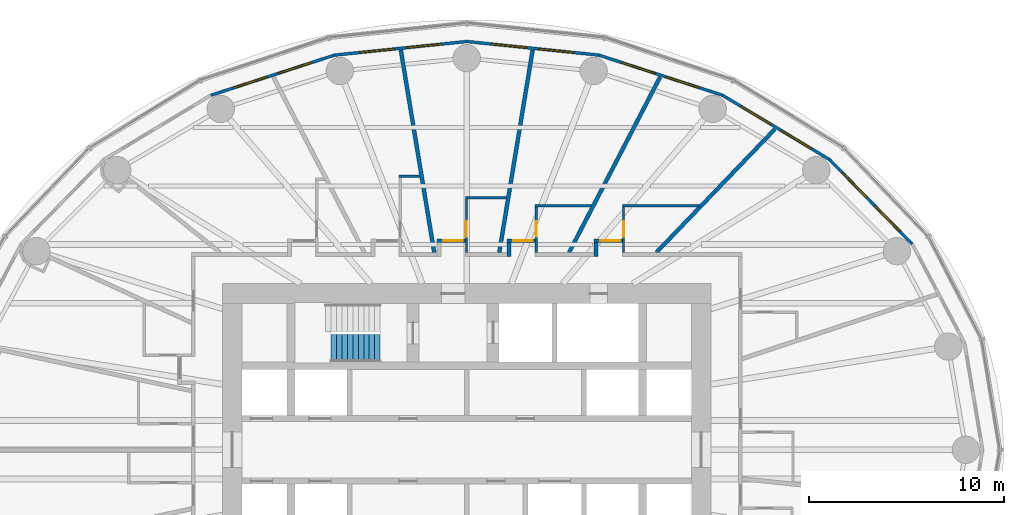
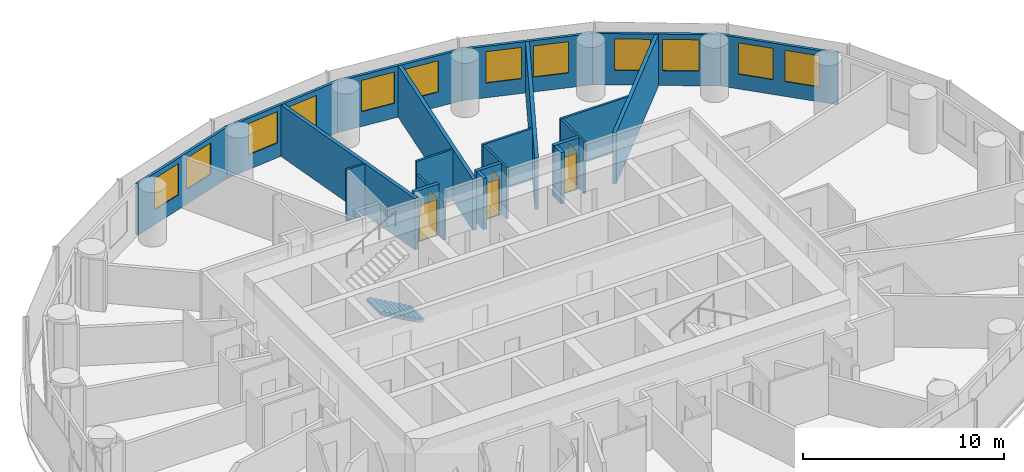
# One storey, part 12 of 14: 22 walls, 12 windows, 6 doors, 1 stair flight, 18 openings, 1 element without a shape of its own.
"""IFC4 building model written with IfcOpenShell, lengths in metres."""

from ifc_helpers import new_model, si_unit, direction, frame, frame_2d, origin, place, context, subcontext, project, spatial, polyline, rectangle, outline, extrude, material, layer, layer_set, type_object, element, fill, aggregate, save


model = new_model("IFC4")

# Units and contexts
model_context = context("Model", 3, precision=1e-05, world=origin(), true_north=direction((0.0, 1.0)))
body_context = subcontext(model_context, "Body", "Model", "MODEL_VIEW")
ifc_project = project(units=[si_unit("LENGTHUNIT", "METRE"), si_unit("AREAUNIT", "SQUARE_METRE"), si_unit("VOLUMEUNIT", "CUBIC_METRE"), si_unit("PLANEANGLEUNIT", "RADIAN"), si_unit("MASSUNIT", "GRAM", prefix="KILO")], contexts=[model_context])

# Site, building, storey
site_placement = place(None, origin())
site = spatial("IfcSite", under=ifc_project, at=site_placement, CompositionType="ELEMENT")
building_placement = place(site_placement, origin())
building = spatial("IfcBuilding", under=site, at=building_placement, Name="Hankou Lantern Tower", CompositionType="ELEMENT")
storey_placement = place(building_placement, frame((0.0, 0.0, 57.300048828125)))
storey = spatial("IfcBuildingStorey", under=building, at=storey_placement, Name="L13", CompositionType="ELEMENT", Elevation=57.300048828125)

# Wall, openings, windows
ifc_material_1 = material(Name="Aluminium spandrel panel on steel studs", Category="steel")
ifc_layer_1 = layer(ifc_material_1, 0.14990234375)
ifc_layer_set_1 = layer_set([ifc_layer_1], Name="Aluminium spandrel panel on steel studs")
wall_type_1 = type_object("IfcWallType", Name="EW1 INNER SKIN WALL 150", PredefinedType="ELEMENTEDWALL", material=ifc_layer_set_1)
wall_1_placement = place(storey_placement, frame((22.802734375, 10.5322265625, 0.0), z_axis=(0.0, 0.0, 1.0), x_axis=(-0.699602905915, 0.714531856557, 0.0)))
wall_1 = element("IfcWall", 1, at=wall_1_placement, inside=storey, type_object=wall_type_1, Name="Inner skin R03-R04 L13", PredefinedType="ELEMENTEDWALL", context=body_context, shape_type="SweptSolid", body=[
    extrude(rectangle(XDim=6.05078125, YDim=0.14990234375, at=frame_2d((3.025390625, 0.0))), origin(), (0.0, 0.0, 1.0), 3.119873046875),
])
opening_1_placement = place(wall_1_placement, frame((0.925537109375, 0.0, 0.89990234375)))
opening_1 = element("IfcOpeningElement", 2, at=opening_1_placement, cuts=wall_1, Name="Opening W1", PredefinedType="OPENING", context=body_context, shape_type="SweptSolid", body=[
    extrude(rectangle(XDim=1.800048828125, YDim=1.89990234375, at=frame_2d((0.89990234375, 0.949951171875))), frame((0.0, 0.0849609375, 0.0), z_axis=(0.0, -1.0, 0.0), x_axis=(1.0, 0.0, 0.0)), (0.0, 0.0, 1.0), 0.169921875),
])
opening_2_placement = place(wall_1_placement, frame((3.325439453125, 0.0, 0.89990234375)))
opening_2 = element("IfcOpeningElement", 3, at=opening_2_placement, cuts=wall_1, Name="Opening W1", PredefinedType="OPENING", context=body_context, shape_type="SweptSolid", body=[
    extrude(rectangle(XDim=1.800048828125, YDim=1.89990234375, at=frame_2d((0.89990234375, 0.949951171875))), frame((0.0, 0.0849609375, 0.0), z_axis=(0.0, -1.0, 0.0), x_axis=(1.0, 0.0, 0.0)), (0.0, 0.0, 1.0), 0.169921875),
])
ifc_material_2 = material(Name="Aluminium framed double glazed window", Category="aluminium")
window_type = type_object("IfcWindowType", Name="W1 GUEST ROOM WINDOW 1800X1900", PartitioningType="DOUBLE_PANEL_VERTICAL", PredefinedType="WINDOW", material=ifc_material_2)
window_1_placement = place(opening_1_placement, origin())
window_1 = element("IfcWindow", 4, at=window_1_placement, inside=storey, type_object=window_type, Name="Window R03.1 L13", OverallHeight=1.89990234375, OverallWidth=1.800048828125, PartitioningType="SINGLE_PANEL", PredefinedType="WINDOW", context=body_context, shape_type="SweptSolid", body=[
    extrude(rectangle(XDim=1.800048828125, YDim=1.89990234375, at=frame_2d((0.89990234375, 0.949951171875))), frame((0.0, 0.030029296875, 0.0), z_axis=(0.0, -1.0, 0.0), x_axis=(1.0, 0.0, 0.0)), (0.0, 0.0, 1.0), 0.06005859375),
])
fill(opening_1, window_1)
window_2_placement = place(opening_2_placement, origin())
window_2 = element("IfcWindow", 5, at=window_2_placement, inside=storey, type_object=window_type, Name="Window R03.2 L13", OverallHeight=1.89990234375, OverallWidth=1.800048828125, PartitioningType="SINGLE_PANEL", PredefinedType="WINDOW", context=body_context, shape_type="SweptSolid", body=[
    extrude(rectangle(XDim=1.800048828125, YDim=1.89990234375, at=frame_2d((0.89990234375, 0.949951171875))), frame((0.0, 0.030029296875, 0.0), z_axis=(0.0, -1.0, 0.0), x_axis=(1.0, 0.0, 0.0)), (0.0, 0.0, 1.0), 0.06005859375),
])
fill(opening_2, window_2)

wall_2_placement = place(storey_placement, frame((18.569580078125, 14.855712890625, 0.0), z_axis=(0.0, 0.0, 1.0), x_axis=(-0.856983180864, 0.515344377787, 0.0)))
wall_2 = element("IfcWall", 6, at=wall_2_placement, inside=storey, type_object=wall_type_1, Name="Inner skin R04-R05 L13", PredefinedType="ELEMENTEDWALL", context=body_context, shape_type="SweptSolid", body=[
    extrude(rectangle(XDim=6.386474609375, YDim=0.14990234375, at=frame_2d((3.193359375, 0.0))), origin(), (0.0, 0.0, 1.0), 3.119873046875),
])
opening_3_placement = place(wall_2_placement, frame((1.09326171875, 0.0, 0.89990234375)))
opening_3 = element("IfcOpeningElement", 7, at=opening_3_placement, cuts=wall_2, Name="Opening W1", PredefinedType="OPENING", context=body_context, shape_type="SweptSolid", body=[
    extrude(rectangle(XDim=1.800048828125, YDim=1.89990234375, at=frame_2d((0.89990234375, 0.949951171875))), frame((0.0, 0.0849609375, 0.0), z_axis=(0.0, -1.0, 0.0), x_axis=(1.0, 0.0, 0.0)), (0.0, 0.0, 1.0), 0.169921875),
])
opening_4_placement = place(wall_2_placement, frame((3.4931640625, 0.0, 0.89990234375)))
opening_4 = element("IfcOpeningElement", 8, at=opening_4_placement, cuts=wall_2, Name="Opening W1", PredefinedType="OPENING", context=body_context, shape_type="SweptSolid", body=[
    extrude(rectangle(XDim=1.800048828125, YDim=1.89990234375, at=frame_2d((0.89990234375, 0.949951171875))), frame((0.0, 0.0849609375, 0.0), z_axis=(0.0, -1.0, 0.0), x_axis=(1.0, 0.0, 0.0)), (0.0, 0.0, 1.0), 0.169921875),
])
window_3_placement = place(opening_3_placement, origin())
window_3 = element("IfcWindow", 9, at=window_3_placement, inside=storey, type_object=window_type, Name="Window R04.1 L13", OverallHeight=1.89990234375, OverallWidth=1.800048828125, PartitioningType="SINGLE_PANEL", PredefinedType="WINDOW", context=body_context, shape_type="SweptSolid", body=[
    extrude(rectangle(XDim=1.800048828125, YDim=1.89990234375, at=frame_2d((0.89990234375, 0.949951171875))), frame((0.0, 0.030029296875, 0.0), z_axis=(0.0, -1.0, 0.0), x_axis=(1.0, 0.0, 0.0)), (0.0, 0.0, 1.0), 0.06005859375),
])
fill(opening_3, window_3)
window_4_placement = place(opening_4_placement, origin())
window_4 = element("IfcWindow", 10, at=window_4_placement, inside=storey, type_object=window_type, Name="Window R04.2 L13", OverallHeight=1.89990234375, OverallWidth=1.800048828125, PartitioningType="SINGLE_PANEL", PredefinedType="WINDOW", context=body_context, shape_type="SweptSolid", body=[
    extrude(rectangle(XDim=1.800048828125, YDim=1.89990234375, at=frame_2d((0.89990234375, 0.949951171875))), frame((0.0, 0.030029296875, 0.0), z_axis=(0.0, -1.0, 0.0), x_axis=(1.0, 0.0, 0.0)), (0.0, 0.0, 1.0), 0.06005859375),
])
fill(opening_4, window_4)

wall_3_placement = place(storey_placement, frame((13.096435546875, 18.14697265625, 0.0), z_axis=(0.0, 0.0, 1.0), x_axis=(-0.951137534625, 0.308767534285, 0.0)))
wall_3 = element("IfcWall", 11, at=wall_3_placement, inside=storey, type_object=wall_type_1, Name="Inner skin R05-R06 L13", PredefinedType="ELEMENTEDWALL", context=body_context, shape_type="SweptSolid", body=[
    extrude(rectangle(XDim=6.6552734375, YDim=0.14990234375, at=frame_2d((3.32763671875, 0.0))), origin(), (0.0, 0.0, 1.0), 3.119873046875),
])
opening_5_placement = place(wall_3_placement, frame((1.2275390625, 0.0, 0.89990234375)))
opening_5 = element("IfcOpeningElement", 12, at=opening_5_placement, cuts=wall_3, Name="Opening W1", PredefinedType="OPENING", context=body_context, shape_type="SweptSolid", body=[
    extrude(rectangle(XDim=1.800048828125, YDim=1.89990234375, at=frame_2d((0.89990234375, 0.949951171875))), frame((0.0, 0.0849609375, 0.0), z_axis=(0.0, -1.0, 0.0), x_axis=(1.0, 0.0, 0.0)), (0.0, 0.0, 1.0), 0.169921875),
])
opening_6_placement = place(wall_3_placement, frame((3.627685546875, 0.0, 0.89990234375)))
opening_6 = element("IfcOpeningElement", 13, at=opening_6_placement, cuts=wall_3, Name="Opening W1", PredefinedType="OPENING", context=body_context, shape_type="SweptSolid", body=[
    extrude(rectangle(XDim=1.800048828125, YDim=1.89990234375, at=frame_2d((0.89990234375, 0.949951171875))), frame((0.0, 0.0849609375, 0.0), z_axis=(0.0, -1.0, 0.0), x_axis=(1.0, 0.0, 0.0)), (0.0, 0.0, 1.0), 0.169921875),
])
window_5_placement = place(opening_5_placement, origin())
window_5 = element("IfcWindow", 14, at=window_5_placement, inside=storey, type_object=window_type, Name="Window R05.1 L13", OverallHeight=1.89990234375, OverallWidth=1.800048828125, PartitioningType="SINGLE_PANEL", PredefinedType="WINDOW", context=body_context, shape_type="SweptSolid", body=[
    extrude(rectangle(XDim=1.800048828125, YDim=1.89990234375, at=frame_2d((0.89990234375, 0.949951171875))), frame((0.0, 0.030029296875, 0.0), z_axis=(0.0, -1.0, 0.0), x_axis=(1.0, 0.0, 0.0)), (0.0, 0.0, 1.0), 0.06005859375),
])
fill(opening_5, window_5)
window_6_placement = place(opening_6_placement, origin())
window_6 = element("IfcWindow", 15, at=window_6_placement, inside=storey, type_object=window_type, Name="Window R05.2 L13", OverallHeight=1.89990234375, OverallWidth=1.800048828125, PartitioningType="SINGLE_PANEL", PredefinedType="WINDOW", context=body_context, shape_type="SweptSolid", body=[
    extrude(rectangle(XDim=1.800048828125, YDim=1.89990234375, at=frame_2d((0.89990234375, 0.949951171875))), frame((0.0, 0.030029296875, 0.0), z_axis=(0.0, -1.0, 0.0), x_axis=(1.0, 0.0, 0.0)), (0.0, 0.0, 1.0), 0.06005859375),
])
fill(opening_6, window_6)

wall_4_placement = place(storey_placement, frame((6.766357421875, 20.201904296875, 0.0), z_axis=(0.0, 0.0, 1.0), x_axis=(-0.994721394369, 0.102612609291, 0.0)))
wall_4 = element("IfcWall", 16, at=wall_4_placement, inside=storey, type_object=wall_type_1, Name="Inner skin R06-R07 L13", PredefinedType="ELEMENTEDWALL", context=body_context, shape_type="SweptSolid", body=[
    extrude(rectangle(XDim=6.80224609375, YDim=0.14990234375, at=frame_2d((3.401123046875, 0.0))), origin(), (0.0, 0.0, 1.0), 3.119873046875),
])
opening_7_placement = place(wall_4_placement, frame((1.301025390625, 0.0, 0.89990234375)))
opening_7 = element("IfcOpeningElement", 17, at=opening_7_placement, cuts=wall_4, Name="Opening W1", PredefinedType="OPENING", context=body_context, shape_type="SweptSolid", body=[
    extrude(rectangle(XDim=1.800048828125, YDim=1.89990234375, at=frame_2d((0.89990234375, 0.949951171875))), frame((0.0, 0.0849609375, 0.0), z_axis=(0.0, -1.0, 0.0), x_axis=(1.0, 0.0, 0.0)), (0.0, 0.0, 1.0), 0.169921875),
])
opening_8_placement = place(wall_4_placement, frame((3.701171875, 0.0, 0.89990234375)))
opening_8 = element("IfcOpeningElement", 18, at=opening_8_placement, cuts=wall_4, Name="Opening W1", PredefinedType="OPENING", context=body_context, shape_type="SweptSolid", body=[
    extrude(rectangle(XDim=1.800048828125, YDim=1.89990234375, at=frame_2d((0.89990234375, 0.949951171875))), frame((0.0, 0.0849609375, 0.0), z_axis=(0.0, -1.0, 0.0), x_axis=(1.0, 0.0, 0.0)), (0.0, 0.0, 1.0), 0.169921875),
])
window_7_placement = place(opening_7_placement, origin())
window_7 = element("IfcWindow", 19, at=window_7_placement, inside=storey, type_object=window_type, Name="Window R06.1 L13", OverallHeight=1.89990234375, OverallWidth=1.800048828125, PartitioningType="SINGLE_PANEL", PredefinedType="WINDOW", context=body_context, shape_type="SweptSolid", body=[
    extrude(rectangle(XDim=1.800048828125, YDim=1.89990234375, at=frame_2d((0.89990234375, 0.949951171875))), frame((0.0, 0.030029296875, 0.0), z_axis=(0.0, -1.0, 0.0), x_axis=(1.0, 0.0, 0.0)), (0.0, 0.0, 1.0), 0.06005859375),
])
fill(opening_7, window_7)
window_8_placement = place(opening_8_placement, origin())
window_8 = element("IfcWindow", 20, at=window_8_placement, inside=storey, type_object=window_type, Name="Window R06.2 L13", OverallHeight=1.89990234375, OverallWidth=1.800048828125, PartitioningType="SINGLE_PANEL", PredefinedType="WINDOW", context=body_context, shape_type="SweptSolid", body=[
    extrude(rectangle(XDim=1.800048828125, YDim=1.89990234375, at=frame_2d((0.89990234375, 0.949951171875))), frame((0.0, 0.030029296875, 0.0), z_axis=(0.0, -1.0, 0.0), x_axis=(1.0, 0.0, 0.0)), (0.0, 0.0, 1.0), 0.06005859375),
])
fill(opening_8, window_8)

wall_5_placement = place(storey_placement, frame((0.0, 20.89990234375, 0.0), z_axis=(0.0, 0.0, 1.0), x_axis=(-0.994721394369, -0.102612609291, 0.0)))
wall_5 = element("IfcWall", 21, at=wall_5_placement, inside=storey, type_object=wall_type_1, Name="Inner skin R07-R08 L13", PredefinedType="ELEMENTEDWALL", context=body_context, shape_type="SweptSolid", body=[
    extrude(rectangle(XDim=6.80224609375, YDim=0.14990234375, at=frame_2d((3.401123046875, 0.0))), origin(), (0.0, 0.0, 1.0), 3.119873046875),
])
opening_9_placement = place(wall_5_placement, frame((1.301025390625, 0.0, 0.89990234375)))
opening_9 = element("IfcOpeningElement", 22, at=opening_9_placement, cuts=wall_5, Name="Opening W1", PredefinedType="OPENING", context=body_context, shape_type="SweptSolid", body=[
    extrude(rectangle(XDim=1.800048828125, YDim=1.89990234375, at=frame_2d((0.89990234375, 0.949951171875))), frame((0.0, 0.0849609375, 0.0), z_axis=(0.0, -1.0, 0.0), x_axis=(1.0, 0.0, 0.0)), (0.0, 0.0, 1.0), 0.169921875),
])
opening_10_placement = place(wall_5_placement, frame((3.701171875, 0.0, 0.89990234375)))
opening_10 = element("IfcOpeningElement", 23, at=opening_10_placement, cuts=wall_5, Name="Opening W1", PredefinedType="OPENING", context=body_context, shape_type="SweptSolid", body=[
    extrude(rectangle(XDim=1.800048828125, YDim=1.89990234375, at=frame_2d((0.89990234375, 0.949951171875))), frame((0.0, 0.0849609375, 0.0), z_axis=(0.0, -1.0, 0.0), x_axis=(1.0, 0.0, 0.0)), (0.0, 0.0, 1.0), 0.169921875),
])
window_9_placement = place(opening_9_placement, origin())
window_9 = element("IfcWindow", 24, at=window_9_placement, inside=storey, type_object=window_type, Name="Window R07.1 L13", OverallHeight=1.89990234375, OverallWidth=1.800048828125, PartitioningType="SINGLE_PANEL", PredefinedType="WINDOW", context=body_context, shape_type="SweptSolid", body=[
    extrude(rectangle(XDim=1.800048828125, YDim=1.89990234375, at=frame_2d((0.89990234375, 0.949951171875))), frame((0.0, 0.030029296875, 0.0), z_axis=(0.0, -1.0, 0.0), x_axis=(1.0, 0.0, 0.0)), (0.0, 0.0, 1.0), 0.06005859375),
])
fill(opening_9, window_9)
window_10_placement = place(opening_10_placement, origin())
window_10 = element("IfcWindow", 25, at=window_10_placement, inside=storey, type_object=window_type, Name="Window R07.2 L13", OverallHeight=1.89990234375, OverallWidth=1.800048828125, PartitioningType="SINGLE_PANEL", PredefinedType="WINDOW", context=body_context, shape_type="SweptSolid", body=[
    extrude(rectangle(XDim=1.800048828125, YDim=1.89990234375, at=frame_2d((0.89990234375, 0.949951171875))), frame((0.0, 0.030029296875, 0.0), z_axis=(0.0, -1.0, 0.0), x_axis=(1.0, 0.0, 0.0)), (0.0, 0.0, 1.0), 0.06005859375),
])
fill(opening_10, window_10)

wall_6_placement = place(storey_placement, frame((-6.766357421875, 20.201904296875, 0.0), z_axis=(0.0, 0.0, 1.0), x_axis=(-0.951137534625, -0.308767534285, 0.0)))
wall_6 = element("IfcWall", 26, at=wall_6_placement, inside=storey, type_object=wall_type_1, Name="Inner skin R08-R09 L13", PredefinedType="ELEMENTEDWALL", context=body_context, shape_type="SweptSolid", body=[
    extrude(rectangle(XDim=6.6552734375, YDim=0.14990234375, at=frame_2d((3.32763671875, 0.0))), origin(), (0.0, 0.0, 1.0), 3.119873046875),
])
opening_11_placement = place(wall_6_placement, frame((1.2275390625, 0.0, 0.89990234375)))
opening_11 = element("IfcOpeningElement", 27, at=opening_11_placement, cuts=wall_6, Name="Opening W1", PredefinedType="OPENING", context=body_context, shape_type="SweptSolid", body=[
    extrude(rectangle(XDim=1.800048828125, YDim=1.89990234375, at=frame_2d((0.89990234375, 0.949951171875))), frame((0.0, 0.0849609375, 0.0), z_axis=(0.0, -1.0, 0.0), x_axis=(1.0, 0.0, 0.0)), (0.0, 0.0, 1.0), 0.169921875),
])
opening_12_placement = place(wall_6_placement, frame((3.627685546875, 0.0, 0.89990234375)))
opening_12 = element("IfcOpeningElement", 28, at=opening_12_placement, cuts=wall_6, Name="Opening W1", PredefinedType="OPENING", context=body_context, shape_type="SweptSolid", body=[
    extrude(rectangle(XDim=1.800048828125, YDim=1.89990234375, at=frame_2d((0.89990234375, 0.949951171875))), frame((0.0, 0.0849609375, 0.0), z_axis=(0.0, -1.0, 0.0), x_axis=(1.0, 0.0, 0.0)), (0.0, 0.0, 1.0), 0.169921875),
])
window_11_placement = place(opening_11_placement, origin())
window_11 = element("IfcWindow", 29, at=window_11_placement, inside=storey, type_object=window_type, Name="Window R08.1 L13", OverallHeight=1.89990234375, OverallWidth=1.800048828125, PartitioningType="SINGLE_PANEL", PredefinedType="WINDOW", context=body_context, shape_type="SweptSolid", body=[
    extrude(rectangle(XDim=1.800048828125, YDim=1.89990234375, at=frame_2d((0.89990234375, 0.949951171875))), frame((0.0, 0.030029296875, 0.0), z_axis=(0.0, -1.0, 0.0), x_axis=(1.0, 0.0, 0.0)), (0.0, 0.0, 1.0), 0.06005859375),
])
fill(opening_11, window_11)
window_12_placement = place(opening_12_placement, origin())
window_12 = element("IfcWindow", 30, at=window_12_placement, inside=storey, type_object=window_type, Name="Window R08.2 L13", OverallHeight=1.89990234375, OverallWidth=1.800048828125, PartitioningType="SINGLE_PANEL", PredefinedType="WINDOW", context=body_context, shape_type="SweptSolid", body=[
    extrude(rectangle(XDim=1.800048828125, YDim=1.89990234375, at=frame_2d((0.89990234375, 0.949951171875))), frame((0.0, 0.030029296875, 0.0), z_axis=(0.0, -1.0, 0.0), x_axis=(1.0, 0.0, 0.0)), (0.0, 0.0, 1.0), 0.06005859375),
])
fill(opening_12, window_12)

# Walls
ifc_material_3 = material(Name="Masonry lightweight concrete block", Category="masonry")
ifc_layer_2 = layer(ifc_material_3, 0.199951171875)
ifc_layer_set_2 = layer_set([ifc_layer_2], Name="Masonry lightweight concrete block")
wall_type_2 = type_object("IfcWallType", Name="IW1 GUEST ROOM PARTY WALL 200", PredefinedType="PARTITIONING", material=ifc_layer_set_2)
wall_7_placement = place(storey_placement, frame((9.705078125, 10.10009765625, 0.0), z_axis=(0.0, 0.0, 1.0), x_axis=(0.692879226267, 0.721053658064, 0.0)))
element("IfcWall", 31, at=wall_7_placement, inside=storey, type_object=wall_type_2, Name="Party wall R04-R05", PredefinedType="PARTITIONING", context=body_context, shape_type="SweptSolid", body=[
    extrude(rectangle(XDim=8.7607421875, YDim=0.199951171875, at=frame_2d((4.38037109375, 0.0))), origin(), (0.0, 0.0, 1.0), 3.119873046875),
])
wall_8_placement = place(storey_placement, frame((5.238525390625, 10.10009765625, 0.0), z_axis=(0.0, 0.0, 1.0), x_axis=(0.460422783389, 0.887699758103, 0.0)))
element("IfcWall", 32, at=wall_8_placement, inside=storey, type_object=wall_type_2, Name="Party wall R05-R06", PredefinedType="PARTITIONING", context=body_context, shape_type="SweptSolid", body=[
    extrude(rectangle(XDim=10.120361328125, YDim=0.199951171875, at=frame_2d((5.06005859375, 0.0))), origin(), (0.0, 0.0, 1.0), 3.119873046875),
])
for number, where, z_axis, x_axis, name in (
    (33, (1.6650390625, 10.10009765625, 0.0), (0.0, 0.0, 1.0), (0.162657606458, 0.986682574621, 0.0), "Party wall R06-R07"),
    (34, (-1.6650390625, 10.10009765625, 0.0), (0.0, 0.0, 1.0), (-0.162657606458, 0.986682574621, 0.0), "Party wall R07-R08"),
):
    element("IfcWall", number, at=place(storey_placement, frame(where, z_axis=z_axis, x_axis=x_axis)), inside=storey, type_object=wall_type_2, Name=name, PredefinedType="PARTITIONING", context=body_context, shape_type="SweptSolid", body=[
        extrude(rectangle(XDim=10.505126953125, YDim=0.199951171875, at=frame_2d((5.25244140625, 0.0))), origin(), (0.0, 0.0, 1.0), 3.119873046875),
    ])

# Wall, opening, door
ifc_material_4 = material(Name="Masonry lightweight concrete block", Category="masonry")
ifc_layer_3 = layer(ifc_material_4, 0.199951171875)
ifc_layer_set_3 = layer_set([ifc_layer_3], Name="Masonry lightweight concrete block")
wall_type_3 = type_object("IfcWallType", Name="IW2 CORRIDOR WALL 200", PredefinedType="PARTITIONING", material=ifc_layer_set_3)
wall_9_placement = place(storey_placement, frame((6.525146484375, 10.699951171875, 0.0), z_axis=(0.0, 0.0, 1.0), x_axis=(1.0, 0.0, 0.0)))
wall_9 = element("IfcWall", 35, at=wall_9_placement, inside=storey, type_object=wall_type_3, Name="Corridor recess wall 1301 back", PredefinedType="PARTITIONING", context=body_context, shape_type="SweptSolid", body=[
    extrude(rectangle(XDim=1.43994140625, YDim=0.199951171875, at=frame_2d((0.719970703125, 0.0))), origin(), (0.0, 0.0, 1.0), 3.119873046875),
])
opening_13_placement = place(wall_9_placement, frame((0.320068359375, 0.0, 0.0)))
opening_13 = element("IfcOpeningElement", 36, at=opening_13_placement, cuts=wall_9, Name="Opening D1", PredefinedType="OPENING", context=body_context, shape_type="SweptSolid", body=[
    extrude(rectangle(XDim=1.0, YDim=2.199951171875, at=frame_2d((0.5, 1.10009765625))), frame((0.0, 0.10986328125, 0.0), z_axis=(0.0, -1.0, 0.0), x_axis=(1.0, 0.0, 0.0)), (0.0, 0.0, 1.0), 0.219970703125),
])
ifc_material_5 = material(Name="Steel door leaf", Category="steel")
door_type_1 = type_object("IfcDoorType", Name="D1 GUEST ROOM DOOR 1000X2200", OperationType="SINGLE_SWING_LEFT", PredefinedType="DOOR", material=ifc_material_5)
door_1_placement = place(opening_13_placement, origin())
door_1 = element("IfcDoor", 37, at=door_1_placement, inside=storey, type_object=door_type_1, Name="Guest room door 1301", OperationType="SINGLE_SWING_RIGHT", OverallHeight=2.199951171875, OverallWidth=1.0, PredefinedType="DOOR", context=body_context, shape_type="SweptSolid", body=[
    extrude(rectangle(XDim=1.0, YDim=2.199951171875, at=frame_2d((0.5, 1.10009765625))), frame((0.0, 0.02490234375, 0.0), z_axis=(0.0, -1.0, 0.0), x_axis=(1.0, 0.0, 0.0)), (0.0, 0.0, 1.0), 0.050048828125),
])
fill(opening_13, door_1)

# Wall
wall_10_placement = place(storey_placement, frame((6.625, 9.89990234375, 0.0), z_axis=(0.0, 0.0, 1.0), x_axis=(0.0, 1.0, 0.0)))
element("IfcWall", 38, at=wall_10_placement, inside=storey, type_object=wall_type_3, Name="Corridor recess wall 1301 side", PredefinedType="PARTITIONING", context=body_context, shape_type="SweptSolid", body=[
    extrude(rectangle(XDim=0.7001953125, YDim=0.199951171875, at=frame_2d((0.35009765625, 0.0))), origin(), (0.0, 0.0, 1.0), 3.119873046875),
])

# Wall, opening, door
wall_11_placement = place(storey_placement, frame((2.05859375, 10.699951171875, 0.0), z_axis=(0.0, 0.0, 1.0), x_axis=(1.0, 0.0, 0.0)))
wall_11 = element("IfcWall", 39, at=wall_11_placement, inside=storey, type_object=wall_type_3, Name="Corridor recess wall 1302 back", PredefinedType="PARTITIONING", context=body_context, shape_type="SweptSolid", body=[
    extrude(rectangle(XDim=1.43994140625, YDim=0.199951171875, at=frame_2d((0.719970703125, 0.0))), origin(), (0.0, 0.0, 1.0), 3.119873046875),
])
opening_14_placement = place(wall_11_placement, frame((0.320068359375, 0.0, 0.0)))
opening_14 = element("IfcOpeningElement", 40, at=opening_14_placement, cuts=wall_11, Name="Opening D1", PredefinedType="OPENING", context=body_context, shape_type="SweptSolid", body=[
    extrude(rectangle(XDim=1.0, YDim=2.199951171875, at=frame_2d((0.5, 1.10009765625))), frame((0.0, 0.10986328125, 0.0), z_axis=(0.0, -1.0, 0.0), x_axis=(1.0, 0.0, 0.0)), (0.0, 0.0, 1.0), 0.219970703125),
])
door_2_placement = place(opening_14_placement, origin())
door_2 = element("IfcDoor", 41, at=door_2_placement, inside=storey, type_object=door_type_1, Name="Guest room door 1302", OperationType="SINGLE_SWING_RIGHT", OverallHeight=2.199951171875, OverallWidth=1.0, PredefinedType="DOOR", context=body_context, shape_type="SweptSolid", body=[
    extrude(rectangle(XDim=1.0, YDim=2.199951171875, at=frame_2d((0.5, 1.10009765625))), frame((0.0, 0.02490234375, 0.0), z_axis=(0.0, -1.0, 0.0), x_axis=(1.0, 0.0, 0.0)), (0.0, 0.0, 1.0), 0.050048828125),
])
fill(opening_14, door_2)

# Wall
wall_12_placement = place(storey_placement, frame((2.15869140625, 9.89990234375, 0.0), z_axis=(0.0, 0.0, 1.0), x_axis=(0.0, 1.0, 0.0)))
element("IfcWall", 42, at=wall_12_placement, inside=storey, type_object=wall_type_3, Name="Corridor recess wall 1302 side", PredefinedType="PARTITIONING", context=body_context, shape_type="SweptSolid", body=[
    extrude(rectangle(XDim=0.7001953125, YDim=0.199951171875, at=frame_2d((0.35009765625, 0.0))), origin(), (0.0, 0.0, 1.0), 3.119873046875),
])

# Wall, opening, door
wall_13_placement = place(storey_placement, frame((-1.51513671875, 10.699951171875, 0.0), z_axis=(0.0, 0.0, 1.0), x_axis=(1.0, 0.0, 0.0)))
wall_13 = element("IfcWall", 43, at=wall_13_placement, inside=storey, type_object=wall_type_3, Name="Corridor recess wall 1303 back", PredefinedType="PARTITIONING", context=body_context, shape_type="SweptSolid", body=[
    extrude(rectangle(XDim=1.440185546875, YDim=0.199951171875, at=frame_2d((0.72021484375, 0.0))), origin(), (0.0, 0.0, 1.0), 3.119873046875),
])
opening_15_placement = place(wall_13_placement, frame((0.320068359375, 0.0, 0.0)))
opening_15 = element("IfcOpeningElement", 44, at=opening_15_placement, cuts=wall_13, Name="Opening D1", PredefinedType="OPENING", context=body_context, shape_type="SweptSolid", body=[
    extrude(rectangle(XDim=1.0, YDim=2.199951171875, at=frame_2d((0.5, 1.10009765625))), frame((0.0, 0.10986328125, 0.0), z_axis=(0.0, -1.0, 0.0), x_axis=(1.0, 0.0, 0.0)), (0.0, 0.0, 1.0), 0.219970703125),
])
door_3_placement = place(opening_15_placement, origin())
door_3 = element("IfcDoor", 45, at=door_3_placement, inside=storey, type_object=door_type_1, Name="Guest room door 1303", OperationType="SINGLE_SWING_RIGHT", OverallHeight=2.199951171875, OverallWidth=1.0, PredefinedType="DOOR", context=body_context, shape_type="SweptSolid", body=[
    extrude(rectangle(XDim=1.0, YDim=2.199951171875, at=frame_2d((0.5, 1.10009765625))), frame((0.0, 0.02490234375, 0.0), z_axis=(0.0, -1.0, 0.0), x_axis=(1.0, 0.0, 0.0)), (0.0, 0.0, 1.0), 0.050048828125),
])
fill(opening_15, door_3)

# Wall
ifc_material_6 = material(Name="Masonry lightweight concrete block", Category="masonry")
ifc_layer_4 = layer(ifc_material_6, 0.1201171875)
ifc_layer_set_4 = layer_set([ifc_layer_4], Name="Masonry lightweight concrete block")
wall_type_4 = type_object("IfcWallType", Name="IW3 BATHROOM WALL 120", PredefinedType="PARTITIONING", material=ifc_layer_set_4)
wall_14_placement = place(storey_placement, frame((11.911376953125, 12.5, 0.0), z_axis=(0.0, 0.0, 1.0), x_axis=(-1.0, 0.0, 0.0)))
element("IfcWall", 46, at=wall_14_placement, inside=storey, type_object=wall_type_4, Name="Box wall 1301 1", PredefinedType="PARTITIONING", context=body_context, shape_type="SweptSolid", body=[
    extrude(rectangle(XDim=3.9462890625, YDim=0.1201171875, at=frame_2d((1.97314453125, 0.0))), origin(), (0.0, 0.0, 1.0), 3.119873046875),
])

# Wall, opening, door
wall_15_placement = place(storey_placement, frame((8.025146484375, 10.10009765625, 0.0), z_axis=(0.0, 0.0, 1.0), x_axis=(0.0, 1.0, 0.0)))
wall_15 = element("IfcWall", 47, at=wall_15_placement, inside=storey, type_object=wall_type_4, Name="Box wall 1301 1", PredefinedType="PARTITIONING", context=body_context, shape_type="SweptSolid", body=[
    extrude(rectangle(XDim=2.33984375, YDim=0.1201171875, at=frame_2d((1.169921875, 0.0))), origin(), (0.0, 0.0, 1.0), 3.119873046875),
])
opening_16_placement = place(wall_15_placement, frame((0.800048828125, 0.0, 0.0)))
opening_16 = element("IfcOpeningElement", 48, at=opening_16_placement, cuts=wall_15, Name="Opening D3", PredefinedType="OPENING", context=body_context, shape_type="SweptSolid", body=[
    extrude(rectangle(XDim=0.800048828125, YDim=2.10009765625, at=frame_2d((0.39990234375, 1.050048828125))), frame((0.0, 0.070068359375, 0.0), z_axis=(0.0, -1.0, 0.0), x_axis=(1.0, 0.0, 0.0)), (0.0, 0.0, 1.0), 0.14013671875),
])
ifc_material_7 = material(Name="Timber door leaf", Category="wood")
door_type_2 = type_object("IfcDoorType", Name="D3 BATHROOM DOOR 800X2100", OperationType="SINGLE_SWING_LEFT", PredefinedType="DOOR", material=ifc_material_7)
door_4_placement = place(opening_16_placement, origin())
door_4 = element("IfcDoor", 49, at=door_4_placement, inside=storey, type_object=door_type_2, Name="En-suite bathroom 1301 door", OperationType="SINGLE_SWING_LEFT", OverallHeight=2.10009765625, OverallWidth=0.800048828125, PredefinedType="DOOR", context=body_context, shape_type="SweptSolid", body=[
    extrude(rectangle(XDim=0.800048828125, YDim=2.10009765625, at=frame_2d((0.39990234375, 1.050048828125))), frame((0.0, 0.02490234375, 0.0), z_axis=(0.0, -1.0, 0.0), x_axis=(1.0, 0.0, 0.0)), (0.0, 0.0, 1.0), 0.050048828125),
])
fill(opening_16, door_4)

# Wall
wall_16_placement = place(storey_placement, frame((6.38330078125, 12.5, 0.0), z_axis=(0.0, 0.0, 1.0), x_axis=(-1.0, 0.0, 0.0)))
element("IfcWall", 50, at=wall_16_placement, inside=storey, type_object=wall_type_4, Name="Box wall 1302 1", PredefinedType="PARTITIONING", context=body_context, shape_type="SweptSolid", body=[
    extrude(rectangle(XDim=2.884765625, YDim=0.1201171875, at=frame_2d((1.4423828125, 0.0))), origin(), (0.0, 0.0, 1.0), 3.119873046875),
])

# Wall, opening, door
wall_17_placement = place(storey_placement, frame((3.55859375, 10.10009765625, 0.0), z_axis=(0.0, 0.0, 1.0), x_axis=(0.0, 1.0, 0.0)))
wall_17 = element("IfcWall", 51, at=wall_17_placement, inside=storey, type_object=wall_type_4, Name="Box wall 1302 1", PredefinedType="PARTITIONING", context=body_context, shape_type="SweptSolid", body=[
    extrude(rectangle(XDim=2.33984375, YDim=0.1201171875, at=frame_2d((1.169921875, 0.0))), origin(), (0.0, 0.0, 1.0), 3.119873046875),
])
opening_17_placement = place(wall_17_placement, frame((0.800048828125, 0.0, 0.0)))
opening_17 = element("IfcOpeningElement", 52, at=opening_17_placement, cuts=wall_17, Name="Opening D3", PredefinedType="OPENING", context=body_context, shape_type="SweptSolid", body=[
    extrude(rectangle(XDim=0.800048828125, YDim=2.10009765625, at=frame_2d((0.39990234375, 1.050048828125))), frame((0.0, 0.070068359375, 0.0), z_axis=(0.0, -1.0, 0.0), x_axis=(1.0, 0.0, 0.0)), (0.0, 0.0, 1.0), 0.14013671875),
])
door_5_placement = place(opening_17_placement, origin())
door_5 = element("IfcDoor", 53, at=door_5_placement, inside=storey, type_object=door_type_2, Name="En-suite bathroom 1302 door", OperationType="SINGLE_SWING_LEFT", OverallHeight=2.10009765625, OverallWidth=0.800048828125, PredefinedType="DOOR", context=body_context, shape_type="SweptSolid", body=[
    extrude(rectangle(XDim=0.800048828125, YDim=2.10009765625, at=frame_2d((0.39990234375, 1.050048828125))), frame((0.0, 0.02490234375, 0.0), z_axis=(0.0, -1.0, 0.0), x_axis=(1.0, 0.0, 0.0)), (0.0, 0.0, 1.0), 0.050048828125),
])
fill(opening_17, door_5)

# Wall
wall_18_placement = place(storey_placement, frame((2.026611328125, 12.89990234375, 0.0), z_axis=(0.0, 0.0, 1.0), x_axis=(-1.0, 0.0, 0.0)))
element("IfcWall", 54, at=wall_18_placement, inside=storey, type_object=wall_type_4, Name="Box wall 1303 1", PredefinedType="PARTITIONING", context=body_context, shape_type="SweptSolid", body=[
    extrude(rectangle(XDim=2.1015625, YDim=0.1201171875, at=frame_2d((1.05078125, 0.0))), origin(), (0.0, 0.0, 1.0), 3.119873046875),
])

# Wall, opening, door
wall_19_placement = place(storey_placement, frame((-0.01513671875, 10.10009765625, 0.0), z_axis=(0.0, 0.0, 1.0), x_axis=(0.0, 1.0, 0.0)))
wall_19 = element("IfcWall", 55, at=wall_19_placement, inside=storey, type_object=wall_type_4, Name="Box wall 1303 1", PredefinedType="PARTITIONING", context=body_context, shape_type="SweptSolid", body=[
    extrude(rectangle(XDim=2.739990234375, YDim=0.1201171875, at=frame_2d((1.3701171875, 0.0))), origin(), (0.0, 0.0, 1.0), 2.320068359375),
])
opening_18_placement = place(wall_19_placement, frame((0.800048828125, 0.0, 0.0)))
opening_18 = element("IfcOpeningElement", 56, at=opening_18_placement, cuts=wall_19, Name="Opening D3", PredefinedType="OPENING", context=body_context, shape_type="SweptSolid", body=[
    extrude(rectangle(XDim=0.800048828125, YDim=2.10009765625, at=frame_2d((0.39990234375, 1.050048828125))), frame((0.0, 0.070068359375, 0.0), z_axis=(0.0, -1.0, 0.0), x_axis=(1.0, 0.0, 0.0)), (0.0, 0.0, 1.0), 0.14013671875),
])
door_6_placement = place(opening_18_placement, origin())
door_6 = element("IfcDoor", 57, at=door_6_placement, inside=storey, type_object=door_type_2, Name="En-suite bathroom 1303 door", OperationType="SINGLE_SWING_LEFT", OverallHeight=2.10009765625, OverallWidth=0.800048828125, PredefinedType="DOOR", context=body_context, shape_type="SweptSolid", body=[
    extrude(rectangle(XDim=0.800048828125, YDim=2.10009765625, at=frame_2d((0.39990234375, 1.050048828125))), frame((0.0, 0.02490234375, 0.0), z_axis=(0.0, -1.0, 0.0), x_axis=(1.0, 0.0, 0.0)), (0.0, 0.0, 1.0), 0.050048828125),
])
fill(opening_18, door_6)

# Wall
wall_20_placement = place(storey_placement, frame((-2.407958984375, 14.0, 0.0), z_axis=(0.0, 0.0, 1.0), x_axis=(-1.0, 0.0, 0.0)))
element("IfcWall", 58, at=wall_20_placement, inside=storey, type_object=wall_type_4, Name="Box wall 1304 1", PredefinedType="PARTITIONING", context=body_context, shape_type="SweptSolid", body=[
    extrude(rectangle(XDim=1.047119140625, YDim=0.1201171875, at=frame_2d((0.5234375, 0.0))), origin(), (0.0, 0.0, 1.0), 3.119873046875),
])

# Stair, stair flight
ifc_material_8 = material(Name="Concrete C40", Category="concrete")
stair_type = type_object("IfcStairType", Name="ST33 CORE STAIR 3300 RISE", PredefinedType="HALF_TURN_STAIR", material=ifc_material_8)
stair_placement = place(storey_placement, origin())
stair = element("IfcStair", 59, at=stair_placement, inside=storey, type_object=stair_type, Name="Stair STA L13", PredefinedType="HALF_TURN_STAIR")
ifc_material_9 = material(Name="Concrete C40", Category="concrete")
stair_flight_type = type_object("IfcStairFlightType", Name="CF10 CORE STAIR FLIGHT 1400 X 10 RISERS", PredefinedType="STRAIGHT", material=ifc_material_9)
stair_flight_placement = place(storey_placement, frame((-4.429931640625, 5.199951171875, 0.0), z_axis=(0.0, 0.0, 1.0), x_axis=(-1.0, 0.0, 0.0)))
stair_flight = element("IfcStairFlight", 60, at=stair_flight_placement, type_object=stair_flight_type, Name="STA flight 1", NumberOfRisers=10, NumberOfTreads=9, PredefinedType="STRAIGHT", RiserHeight=0.157142857, TreadLength=0.28, context=body_context, shape_type="SweptSolid", body=[
    extrude(outline(polyline([(0.0, 0.0), (0.0, 0.1572265625), (0.280029296875, 0.1572265625), (0.280029296875, 0.314208984375), (0.56005859375, 0.314208984375), (0.56005859375, 0.471435546875), (0.840087890625, 0.471435546875), (0.840087890625, 0.628662109375), (1.1201171875, 0.628662109375), (1.1201171875, 0.78564453125), (1.39990234375, 0.78564453125), (1.39990234375, 0.94287109375), (1.679931640625, 0.94287109375), (1.679931640625, 1.10009765625), (1.9599609375, 1.10009765625), (1.9599609375, 1.257080078125), (2.239990234375, 1.257080078125), (2.239990234375, 1.414306640625), (2.52001953125, 1.414306640625), (2.52001953125, 1.571533203125), (2.52001953125, 1.242431640625), (0.306396484375, 0.0), (0.0, 0.0)])), frame((0.0, 0.699951171875, 0.0), z_axis=(0.0, -1.0, 0.0), x_axis=(1.0, 0.0, 0.0)), (0.0, 0.0, 1.0), 1.39990234375),
])
aggregate(stair, [stair_flight])

save(model, "model.ifc")
